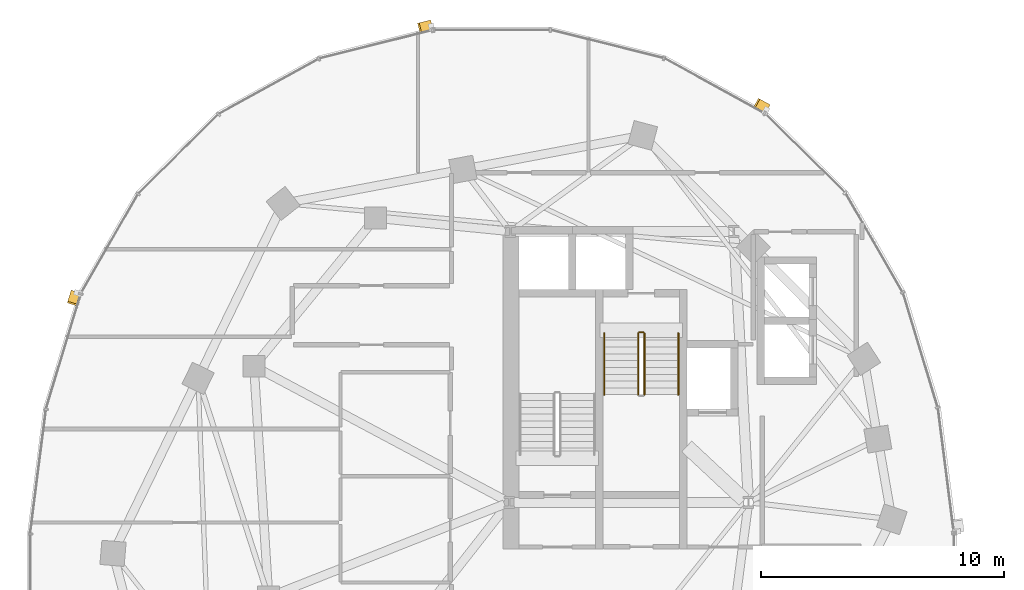
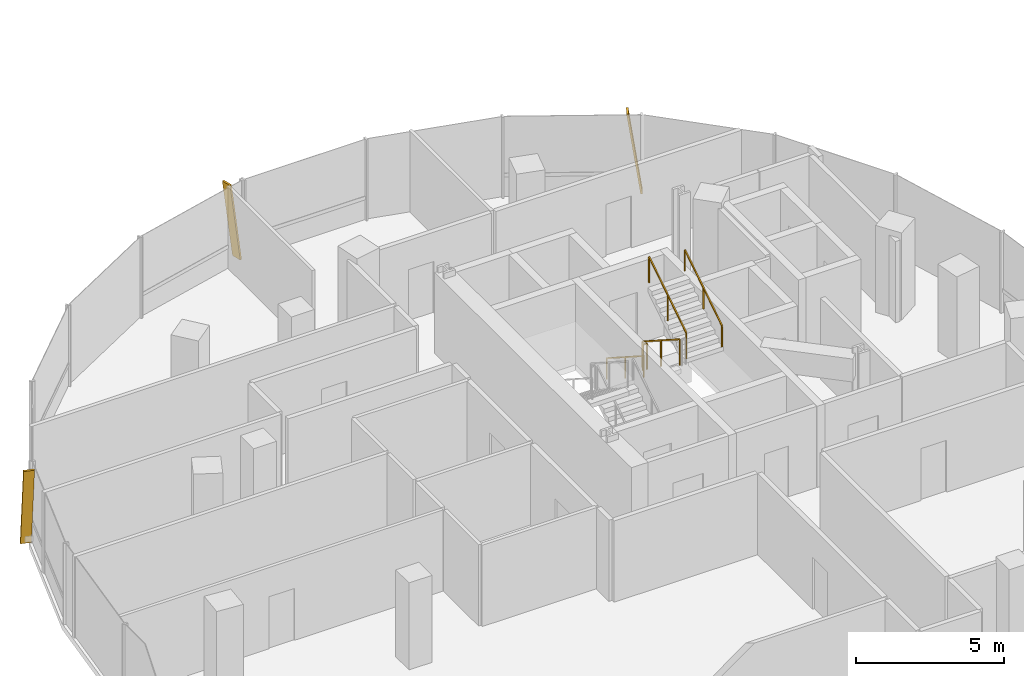
# One storey, part 20 of 22: 5 railings, 3 shading devices.
"""IFC4 building model written with IfcOpenShell, lengths in metres."""

import ifcopenshell
import ifcopenshell.guid

model = None  # the IFC model being written
_history = None  # IfcOwnerHistory: only IFC2X3 demands one
_inside = {}  # id of a spatial element -> (the spatial element, [elements in it])
_under = {}  # id of a project, library or spatial element -> (it, [spatial elements below it])
_declared = {}  # id of a project -> (the project, [libraries it declares])
_typed = {}  # id of a type object -> (the type object, [elements of that type])
_made_of = {}  # id of a material, layer set ... -> (it, [elements and type objects made of it])


def new_model(schema):
    """Start an empty IFC model of exactly this schema.

    Asked for "IFC4X3", IfcOpenShell would pick the latest addendum, in which some entities
    have other attributes; the version numbers below select the first issue.
    IFC2X3 requires an IfcOwnerHistory on every rooted entity: one is made here for all.
    """
    global model, _history
    if schema == "IFC4X3":
        model = ifcopenshell.file(schema_version=(4, 3, 0, 0))
    else:
        model = ifcopenshell.file(schema=schema)
    _inside.clear()
    _under.clear()
    _declared.clear()
    _typed.clear()
    _made_of.clear()
    _history = None
    if model.schema == "IFC2X3":
        org = make("IfcOrganization", Name="unknown")
        user = make(
            "IfcPersonAndOrganization",
            ThePerson=make("IfcPerson", FamilyName="unknown"),
            TheOrganization=org,
        )
        app = make(
            "IfcApplication",
            ApplicationDeveloper=org,
            Version="unknown",
            ApplicationFullName="unknown",
            ApplicationIdentifier="unknown",
        )
        _history = make(
            "IfcOwnerHistory",
            OwningUser=user,
            OwningApplication=app,
            ChangeAction="ADDED",
            CreationDate=0,
        )
    return model


def make(cls, **values):
    """One entity of the class cls with the attributes given. An attribute that is None is left unset."""
    return model.create_entity(
        cls, **{name: value for name, value in values.items() if value is not None}
    )


def rooted(cls, **values):
    """An entity with a GlobalId (a new one), such as an element, a storey or a relation."""
    return make(cls, GlobalId=ifcopenshell.guid.new(), OwnerHistory=_history, **values)


def si_unit(unit_type, name, prefix=None):
    """IfcSIUnit, for example si_unit("LENGTHUNIT", "METRE", prefix="MILLI")."""
    return make("IfcSIUnit", UnitType=unit_type, Prefix=prefix, Name=name)


def assignment(units):
    """IfcUnitAssignment: the units of a project."""
    return None if units is None else make("IfcUnitAssignment", Units=units)


def point(xyz):
    """IfcCartesianPoint."""
    return None if xyz is None else make("IfcCartesianPoint", Coordinates=xyz)


def direction(xyz):
    """IfcDirection."""
    return None if xyz is None else make("IfcDirection", DirectionRatios=xyz)


def frame(location, z_axis=None, x_axis=None):
    """IfcAxis2Placement3D, a coordinate frame: its origin and axes. An axis left out is left unset."""
    return make(
        "IfcAxis2Placement3D",
        Location=point(location),
        Axis=direction(z_axis),
        RefDirection=direction(x_axis),
    )


def frame_2d(location, x_axis=None):
    """IfcAxis2Placement2D, a coordinate frame in the plane: its origin and x axis."""
    return make(
        "IfcAxis2Placement2D", Location=point(location), RefDirection=direction(x_axis)
    )


def origin():
    """The frame at (0, 0, 0) with its axes left unset."""
    return frame((0.0, 0.0, 0.0))


def origin_2d():
    """The frame at (0, 0) in the plane with its x axis left unset."""
    return frame_2d((0.0, 0.0))


def place(relative_to, where):
    """IfcLocalPlacement: puts the frame where relative to a parent placement (None: the world)."""
    return make(
        "IfcLocalPlacement", PlacementRelTo=relative_to, RelativePlacement=where
    )


def context(
    kind, dimensions, precision=None, world=None, true_north=None, identifier=None
):
    """IfcGeometricRepresentationContext, for example the 3D "Model" context."""
    return make(
        "IfcGeometricRepresentationContext",
        ContextIdentifier=identifier,
        ContextType=kind,
        CoordinateSpaceDimension=dimensions,
        Precision=precision,
        WorldCoordinateSystem=world,
        TrueNorth=true_north,
    )


def subcontext(parent, identifier, kind, view, scale=None):
    """IfcGeometricRepresentationSubContext, for example "Body" below "Model"."""
    return make(
        "IfcGeometricRepresentationSubContext",
        ContextIdentifier=identifier,
        ContextType=kind,
        ParentContext=parent,
        TargetScale=scale,
        TargetView=view,
    )


def project(units=None, contexts=None):
    """IfcProject with its units and contexts."""
    return rooted(
        "IfcProject",
        Name="project",
        RepresentationContexts=contexts,
        UnitsInContext=assignment(units),
    )


def spatial(cls, under=None, at=None, **own):
    """A site, building, storey or space (cls), placed at a placement, below another one or the project."""
    s = rooted(cls, ObjectPlacement=at, **own)
    if under is not None:
        _under.setdefault(under.id(), (under, []))[1].append(s)
    return s


def profile(cls, at=None, kind="AREA", **sizes):
    """A parametric profile (cls). Its sizes go by their IFC names, for example OverallWidth=200.0."""
    return make(cls, ProfileType=kind, Position=at, **sizes)


def rectangle(**sizes):
    """IfcRectangleProfileDef."""
    return profile("IfcRectangleProfileDef", **sizes)


def extrude(swept, where, along, depth):
    """IfcExtrudedAreaSolid: the profile swept, set in the frame where, extruded along a direction by depth."""
    return make(
        "IfcExtrudedAreaSolid",
        SweptArea=swept,
        Position=where,
        ExtrudedDirection=direction(along),
        Depth=depth,
    )


def shape(context_of_items, identifier, shape_type, items):
    """IfcShapeRepresentation: the items that make up one representation, for example the "Body"."""
    return make(
        "IfcShapeRepresentation",
        ContextOfItems=context_of_items,
        RepresentationIdentifier=identifier,
        RepresentationType=shape_type,
        Items=items,
    )


def material(Name=None, Category=None):
    """IfcMaterial."""
    return make("IfcMaterial", Name=Name, Category=Category)


def material_profile(
    of_material, cross_section, Name=None, Category=None, Priority=None
):
    """IfcMaterialProfile: a cross section and its material."""
    return make(
        "IfcMaterialProfile",
        Name=Name,
        Material=of_material,
        Profile=cross_section,
        Priority=Priority,
        Category=Category,
    )


def profile_set(profiles, Name=None, composite=None):
    """IfcMaterialProfileSet."""
    return make(
        "IfcMaterialProfileSet",
        Name=Name,
        MaterialProfiles=profiles,
        CompositeProfile=composite,
    )


def made_of(thing, what):
    """Note that an element or type object is made of a material, layer set ...; save() writes the relation."""
    if what is not None:
        _made_of.setdefault(what.id(), (what, []))[1].append(thing)
    return thing


def type_object(cls, material=None, **own):
    """A type object (cls), such as IfcWallType, which elements share."""
    return made_of(rooted(cls, **own), material)


def element(
    cls,
    number,
    at=None,
    inside=None,
    cuts=None,
    type_object=None,
    material=None,
    context=None,
    identifier="Body",
    shape_type=None,
    held_by="IfcProductDefinitionShape",
    body=None,
    shapes=None,
    **own,
):
    """One element of the class cls, such as IfcWall. Its Tag is "e" and its number.

    at: its placement. inside: the storey or other place that contains it. cuts: it is an
    opening in that element (IfcRelVoidsElement). A single representation is given by context,
    identifier, shape_type and body (its items); several are given by shapes. held_by: the class
    of the entity that holds the representations. save() writes the other relations.
    """
    e = rooted(cls, Tag="e%d" % number, ObjectPlacement=at, **own)
    if body is not None:
        shapes = [shape(context, identifier, shape_type, body)]
    if shapes is not None:
        e.Representation = make(held_by, Representations=shapes)
    if inside is not None:
        _inside.setdefault(inside.id(), (inside, []))[1].append(e)
    if cuts is not None:
        rooted(
            "IfcRelVoidsElement", RelatingBuildingElement=cuts, RelatedOpeningElement=e
        )
    if type_object is not None:
        _typed.setdefault(type_object.id(), (type_object, []))[1].append(e)
    return made_of(e, material)


def aggregate(whole, parts):
    """IfcRelAggregates: a whole, such as a stair, and the parts it consists of."""
    return rooted("IfcRelAggregates", RelatingObject=whole, RelatedObjects=parts)


def save(model, path):
    """Write the relations noted so far, then the file.

    IfcRelAggregates (storeys below a building ...), IfcRelContainedInSpatialStructure (elements
    in a storey), IfcRelDefinesByType, IfcRelAssociatesMaterial and IfcRelDeclares: one each for
    every whole, place, type object, material and project.
    """
    for whole, parts in _under.values():
        aggregate(whole, parts)
    for where, things in _inside.values():
        rooted(
            "IfcRelContainedInSpatialStructure",
            RelatedElements=things,
            RelatingStructure=where,
        )
    for kind, things in _typed.values():
        rooted("IfcRelDefinesByType", RelatedObjects=things, RelatingType=kind)
    for what, things in _made_of.values():
        rooted("IfcRelAssociatesMaterial", RelatedObjects=things, RelatingMaterial=what)
    for by, libraries in _declared.values():
        rooted("IfcRelDeclares", RelatingContext=by, RelatedDefinitions=libraries)
    model.write(path)


model = new_model("IFC4")

# Units and contexts
model_context = context("Model", 3, precision=1e-05, world=origin(), true_north=direction((0.0, 1.0)))
body_context = subcontext(model_context, "Body", "Model", "MODEL_VIEW")
ifc_project = project(units=[si_unit("LENGTHUNIT", "METRE"), si_unit("AREAUNIT", "SQUARE_METRE"), si_unit("VOLUMEUNIT", "CUBIC_METRE"), si_unit("PLANEANGLEUNIT", "RADIAN"), si_unit("MASSUNIT", "GRAM", prefix="KILO"), si_unit("THERMODYNAMICTEMPERATUREUNIT", "KELVIN"), si_unit("POWERUNIT", "WATT")], contexts=[model_context])

# Site, building, storey
site_placement = place(None, origin())
site = spatial("IfcSite", under=ifc_project, at=site_placement, CompositionType="ELEMENT")
building_placement = place(site_placement, origin())
building = spatial("IfcBuilding", under=site, at=building_placement, Name="Cundina Bronze Exchange", CompositionType="ELEMENT")
storey_placement = place(building_placement, frame((0.0, 0.0, 154.800048828125)))
storey = spatial("IfcBuildingStorey", under=building, at=storey_placement, Name="L40", CompositionType="ELEMENT", Elevation=154.800048828125)

# Railings
ifc_material_1 = material(Name="Steel ASTM A36 Painted", Category="steel")
railing_type_1 = type_object("IfcRailingType", Name="RLG-HND-900", PredefinedType="HANDRAIL", material=ifc_material_1)
railing_1_placement = place(storey_placement, frame((-27.389892578125, 10.85009765625, 0.179931640625)))
element("IfcRailing", 1, at=railing_1_placement, inside=storey, type_object=railing_type_1, Name="L40 ST-W2 stair handrail 1", PredefinedType="HANDRAIL", context=body_context, shape_type="SweptSolid", body=[
    extrude(rectangle(XDim=0.048095703125, YDim=0.048095703125, at=origin_2d()), frame((0.0, 0.0, 0.8759765625), z_axis=(0.0, -0.841162588446, 0.540782303519), x_axis=(1.0, 0.0, 0.0)), (0.0, 0.0, 1.0), 2.995849609375),
    extrude(rectangle(XDim=0.0419921875, YDim=0.0419921875, at=origin_2d()), origin(), (0.0, 0.0, 1.0), 0.851806640625),
    extrude(rectangle(XDim=0.0419921875, YDim=0.0419921875, at=origin_2d()), frame((0.0, -1.260009765625, 0.81005859375)), (0.0, 0.0, 1.0), 0.851806640625),
    extrude(rectangle(XDim=0.0419921875, YDim=0.0419921875, at=origin_2d()), frame((0.0, -2.52001953125, 1.6201171875)), (0.0, 0.0, 1.0), 0.851806640625),
])
railing_2_placement = place(storey_placement, frame((-24.330078125, 8.330078125, 1.97998046875)))
element("IfcRailing", 2, at=railing_2_placement, inside=storey, type_object=railing_type_1, Name="L40 ST-W2 stair handrail 2", PredefinedType="HANDRAIL", context=body_context, shape_type="SweptSolid", body=[
    extrude(rectangle(XDim=0.048095703125, YDim=0.048095703125, at=origin_2d()), frame((0.0, 0.0, 0.8759765625), z_axis=(0.0, 0.841199657755, 0.540724639528), x_axis=(-1.0, 0.0, 0.0)), (0.0, 0.0, 1.0), 2.995849609375),
    extrude(rectangle(XDim=0.0419921875, YDim=0.0419921875, at=origin_2d()), origin(), (0.0, 0.0, 1.0), 0.851806640625),
    extrude(rectangle(XDim=0.0419921875, YDim=0.0419921875, at=origin_2d()), frame((0.0, 1.260009765625, 0.81005859375)), (0.0, 0.0, 1.0), 0.851806640625),
    extrude(rectangle(XDim=0.0419921875, YDim=0.0419921875, at=origin_2d()), frame((0.0, 2.52001953125, 1.619873046875)), (0.0, 0.0, 1.0), 0.851806640625),
])
railing_type_2 = type_object("IfcRailingType", Name="RLG-STG-1100", PredefinedType="GUARDRAIL", material=ifc_material_1)
railing_3_placement = place(storey_placement, frame((-25.989990234375, 10.85009765625, 0.179931640625)))
element("IfcRailing", 3, at=railing_3_placement, inside=storey, type_object=railing_type_2, Name="L40 ST-W2 stair guard 1", PredefinedType="GUARDRAIL", context=body_context, shape_type="SweptSolid", body=[
    extrude(rectangle(XDim=0.048095703125, YDim=0.048095703125, at=origin_2d()), frame((0.0, 0.0, 1.076171875), z_axis=(0.0, -0.841162588446, 0.540782303519), x_axis=(1.0, 0.0, 0.0)), (0.0, 0.0, 1.0), 2.995849609375),
    extrude(rectangle(XDim=0.0419921875, YDim=0.0419921875, at=origin_2d()), origin(), (0.0, 0.0, 1.0), 1.052001953125),
    extrude(rectangle(XDim=0.0419921875, YDim=0.0419921875, at=origin_2d()), frame((0.0, -1.260009765625, 0.81005859375)), (0.0, 0.0, 1.0), 1.052001953125),
    extrude(rectangle(XDim=0.0419921875, YDim=0.0419921875, at=origin_2d()), frame((0.0, -2.52001953125, 1.6201171875)), (0.0, 0.0, 1.0), 1.052001953125),
])
railing_4_placement = place(storey_placement, frame((-25.72998046875, 8.330078125, 1.97998046875)))
element("IfcRailing", 4, at=railing_4_placement, inside=storey, type_object=railing_type_2, Name="L40 ST-W2 stair guard 3", PredefinedType="GUARDRAIL", context=body_context, shape_type="SweptSolid", body=[
    extrude(rectangle(XDim=0.048095703125, YDim=0.048095703125, at=origin_2d()), frame((0.0, 0.0, 1.076171875), z_axis=(0.0, 0.841199657755, 0.540724639528), x_axis=(-1.0, 0.0, 0.0)), (0.0, 0.0, 1.0), 2.995849609375),
    extrude(rectangle(XDim=0.0419921875, YDim=0.0419921875, at=origin_2d()), origin(), (0.0, 0.0, 1.0), 1.052001953125),
    extrude(rectangle(XDim=0.0419921875, YDim=0.0419921875, at=origin_2d()), frame((0.0, 1.260009765625, 0.81005859375)), (0.0, 0.0, 1.0), 1.052001953125),
    extrude(rectangle(XDim=0.0419921875, YDim=0.0419921875, at=origin_2d()), frame((0.0, 2.52001953125, 1.619873046875)), (0.0, 0.0, 1.0), 1.052001953125),
])
railing_5_placement = place(storey_placement, frame((-25.93994140625, 10.89990234375, 0.0)))
element("IfcRailing", 5, at=railing_5_placement, inside=storey, type_object=railing_type_2, Name="L40 ST-W2 stair guard 4", PredefinedType="GUARDRAIL", context=body_context, shape_type="SweptSolid", body=[
    extrude(rectangle(XDim=0.048095703125, YDim=0.048095703125, at=origin_2d()), frame((0.0, 0.0, 1.076171875), z_axis=(1.0, 0.0, 0.0), x_axis=(0.0, 1.0, 0.0)), (0.0, 0.0, 1.0), 0.159912109375),
    extrude(rectangle(XDim=0.0419921875, YDim=0.0419921875, at=origin_2d()), origin(), (0.0, 0.0, 1.0), 1.052001953125),
    extrude(rectangle(XDim=0.0419921875, YDim=0.0419921875, at=origin_2d()), frame((0.159912109375, 0.0, 0.0)), (0.0, 0.0, 1.0), 1.052001953125),
])

# Shading devices
ifc_material_2 = material(Name="Anodised Bronze Aluminium 6063-T6", Category="aluminium")
ifc_material_profile = material_profile(ifc_material_2, rectangle(XDim=0.070068359375, YDim=0.3798828125, at=origin_2d()), Name="FIN70X380", Category="aluminium")
ifc_profile_set = profile_set([ifc_material_profile], Name="Anodised Bronze Aluminium 6063-T6")
shading_device_type = type_object("IfcShadingDeviceType", Name="SHD-FIN-BRZ380", PredefinedType="USERDEFINED", material=ifc_profile_set)
for number, where, z_axis, x_axis, name in (
    (6, (-20.679931640625, 20.11181640625, 0.02001953125), (-0.125333488691, 0.068998924088, 0.989712415345), (0.867010347902, -0.477308832643, 0.143071083426), "L40 Diagonal Bronze Solar Fin 5"),
    (7, (-34.51953125, 23.556396484375, 0.02001953125), (-0.138798398751, -0.034717795597, 0.989711917263), (0.960131970194, 0.240158861973, 0.143074528925), "L40 Diagonal Bronze Solar Fin 1"),
    (8, (-49.151123046875, 12.5439453125, 0.02001953125), (-0.041486383227, -0.136977847776, 0.989704980904), (0.286882071994, 0.94721413946, 0.143122502684), "L40 Diagonal Bronze Solar Fin 5"),
):
    element("IfcShadingDevice", number, at=place(storey_placement, frame(where, z_axis=z_axis, x_axis=x_axis)), inside=storey, type_object=shading_device_type, Name=name, ObjectType="FIN", PredefinedType="USERDEFINED", context=body_context, shape_type="SweptSolid", body=[
        extrude(rectangle(XDim=0.070068359375, YDim=0.3798828125, at=origin_2d()), origin(), (0.0, 0.0, 1.0), 3.354248046875),
    ])

save(model, "model.ifc")
